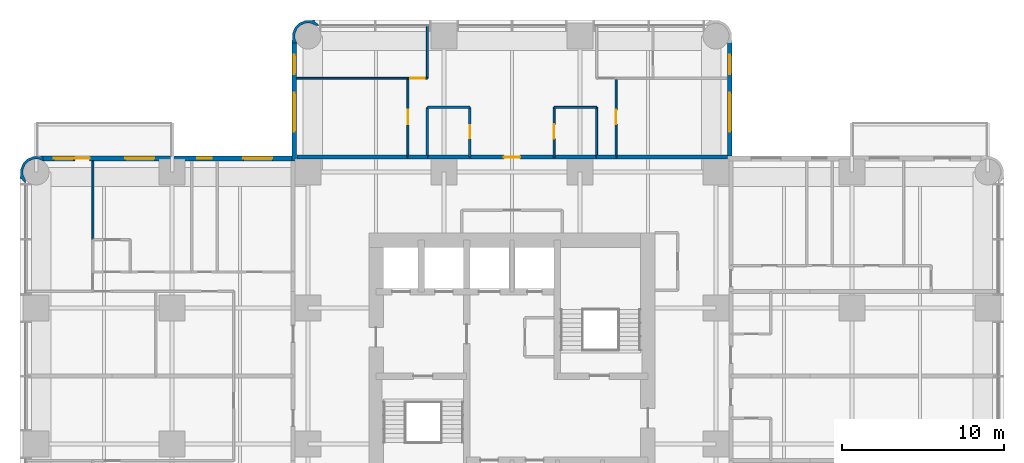
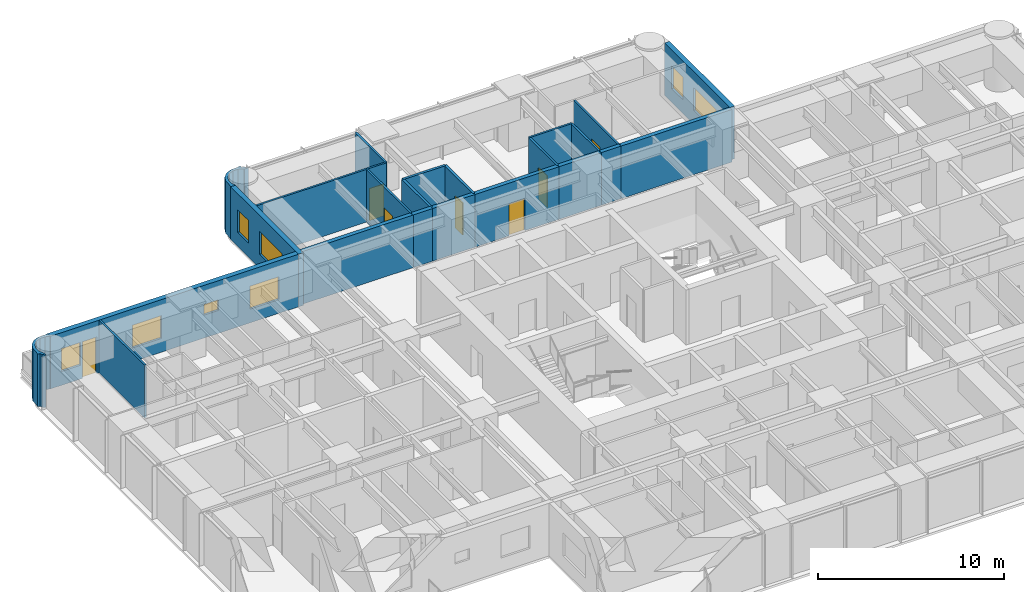
# One storey, part 11 of 14: 24 walls, 8 windows, 7 doors, 15 openings.
"""IFC4 building model written with IfcOpenShell, lengths in metres."""

from ifc_helpers import new_model, si_unit, direction, frame, frame_2d, origin, place, context, subcontext, project, spatial, polyline, rectangle, outline, extrude, material, layer, layer_set, type_object, element, fill, save


model = new_model("IFC4")

# Units and contexts
model_context = context("Model", 3, precision=1e-05, world=origin(), true_north=direction((0.0, 1.0)))
body_context = subcontext(model_context, "Body", "Model", "MODEL_VIEW")
ifc_project = project(units=[si_unit("LENGTHUNIT", "METRE"), si_unit("AREAUNIT", "SQUARE_METRE"), si_unit("VOLUMEUNIT", "CUBIC_METRE"), si_unit("PLANEANGLEUNIT", "RADIAN"), si_unit("MASSUNIT", "GRAM", prefix="KILO")], contexts=[model_context])

# Site, building, storey
site_placement = place(None, origin())
site = spatial("IfcSite", under=ifc_project, at=site_placement, CompositionType="ELEMENT")
building_placement = place(site_placement, origin())
building = spatial("IfcBuilding", under=site, at=building_placement, Name="Torre Alcanfor", CompositionType="ELEMENT")
storey_placement = place(building_placement, frame((0.0, 0.0, 162.89990234375)))
storey = spatial("IfcBuildingStorey", under=building, at=storey_placement, Name="L42", CompositionType="ELEMENT", Elevation=162.89990234375)

# Wall, opening, door
ifc_material_1 = material(Name="Concrete block masonry, hollow blocks NMX-C-404 9 MPa", Category="masonry")
ifc_layer_1 = layer(ifc_material_1, 0.25)
ifc_layer_set_1 = layer_set([ifc_layer_1], Name="Apartment entrance wall 250 EI 60")
wall_type_1 = type_object("IfcWallType", Name="Apartment entrance wall 250 EI 60", PredefinedType="PARTITIONING", material=ifc_layer_set_1)
wall_1_placement = place(storey_placement, frame((26.800048828125, 42.925048828125, 0.0), z_axis=(0.0, 0.0, 1.0), x_axis=(1.0, 0.0, 0.0)))
wall_1 = element("IfcWall", 1, at=wall_1_placement, inside=storey, type_object=wall_type_1, Name="Partition L42-CORR / L42-NX-ZAG", PredefinedType="PARTITIONING", context=body_context, shape_type="SweptSolid", body=[
    extrude(rectangle(XDim=5.199951171875, YDim=0.25, at=frame_2d((2.60009765625, 0.0))), origin(), (0.0, 0.0, 1.0), 3.4501953125),
])
opening_1_placement = place(wall_1_placement, frame((2.10009765625, 0.0, 0.0)))
opening_1 = element("IfcOpeningElement", 2, at=opening_1_placement, cuts=wall_1, Name="Opening D-A1", PredefinedType="OPENING", context=body_context, shape_type="SweptSolid", body=[
    extrude(rectangle(XDim=1.0, YDim=2.10009765625, at=frame_2d((0.5, 1.050048828125))), frame((0.0, 0.135009765625, 0.0), z_axis=(0.0, -1.0, 0.0), x_axis=(1.0, 0.0, 0.0)), (0.0, 0.0, 1.0), 0.27001953125),
])
ifc_material_2 = material(Name="Galvanised steel sheet ASTM A653", Category="steel")
door_type_1 = type_object("IfcDoorType", Name="Apartment entrance door FD60 1000x2100", OperationType="SINGLE_SWING_LEFT", PredefinedType="DOOR", material=ifc_material_2)
door_1_placement = place(opening_1_placement, origin())
door_1 = element("IfcDoor", 3, at=door_1_placement, inside=storey, type_object=door_type_1, Name="Apartment entrance L42-NX", OperationType="SINGLE_SWING_LEFT", OverallHeight=2.10009765625, OverallWidth=1.0, PredefinedType="DOOR", context=body_context, shape_type="SweptSolid", body=[
    extrude(rectangle(XDim=1.0, YDim=2.10009765625, at=frame_2d((0.5, 1.050048828125))), frame((0.0, 0.02490234375, 0.0), z_axis=(0.0, -1.0, 0.0), x_axis=(1.0, 0.0, 0.0)), (0.0, 0.0, 1.0), 0.050048828125),
])
fill(opening_1, door_1)

# Walls
wall_2_placement = place(storey_placement, frame((24.1708984375, 42.925048828125, 0.0), z_axis=(0.0, 0.0, 1.0), x_axis=(1.0, 0.0, 0.0)))
element("IfcWall", 4, at=wall_2_placement, inside=storey, type_object=wall_type_1, Name="Partition L42-CORR / L42-NX-BATH2", PredefinedType="PARTITIONING", context=body_context, shape_type="SweptSolid", body=[
    extrude(rectangle(XDim=2.629150390625, YDim=0.25, at=frame_2d((1.314453125, 0.0))), origin(), (0.0, 0.0, 1.0), 3.4501953125),
])
wall_3_placement = place(storey_placement, frame((32.0, 42.925048828125, 0.0), z_axis=(0.0, 0.0, 1.0), x_axis=(1.0, 0.0, 0.0)))
element("IfcWall", 5, at=wall_3_placement, inside=storey, type_object=wall_type_1, Name="Partition L42-CORR / L42-NX-KITCHEN", PredefinedType="PARTITIONING", context=body_context, shape_type="SweptSolid", body=[
    extrude(rectangle(XDim=2.62890625, YDim=0.25, at=frame_2d((1.314453125, 0.0))), origin(), (0.0, 0.0, 1.0), 3.4501953125),
])
wall_4_placement = place(storey_placement, frame((22.970947265625, 42.925048828125, 0.0), z_axis=(0.0, 0.0, 1.0), x_axis=(1.0, 0.0, 0.0)))
element("IfcWall", 6, at=wall_4_placement, inside=storey, type_object=wall_type_1, Name="Partition L42-CORR / L42-NX-LIVING", PredefinedType="PARTITIONING", context=body_context, shape_type="SweptSolid", body=[
    extrude(rectangle(XDim=1.199951171875, YDim=0.25, at=frame_2d((0.60009765625, 0.0))), origin(), (0.0, 0.0, 1.0), 3.4501953125),
])
wall_5_placement = place(storey_placement, frame((34.62890625, 42.925048828125, 0.0), z_axis=(0.0, 0.0, 1.0), x_axis=(1.0, 0.0, 0.0)))
element("IfcWall", 7, at=wall_5_placement, inside=storey, type_object=wall_type_1, Name="Partition L42-CORR / L42-NX-LIVING", PredefinedType="PARTITIONING", context=body_context, shape_type="SweptSolid", body=[
    extrude(rectangle(XDim=1.2001953125, YDim=0.25, at=frame_2d((0.60009765625, 0.0))), origin(), (0.0, 0.0, 1.0), 3.4501953125),
])
for number, where, z_axis, x_axis, name in (
    (8, (16.10009765625, 42.925048828125, 0.0), (0.0, 0.0, 1.0), (1.0, 0.0, 0.0), "Partition L42-CORR / L42-NX-BED2"),
    (9, (35.8291015625, 42.925048828125, 0.0), (0.0, 0.0, 1.0), (1.0, 0.0, 0.0), "Partition L42-CORR / L42-NX-BED3"),
):
    element("IfcWall", number, at=place(storey_placement, frame(where, z_axis=z_axis, x_axis=x_axis)), inside=storey, type_object=wall_type_1, Name=name, PredefinedType="PARTITIONING", context=body_context, shape_type="SweptSolid", body=[
        extrude(rectangle(XDim=6.870849609375, YDim=0.25, at=frame_2d((3.435546875, 0.0))), origin(), (0.0, 0.0, 1.0), 3.4501953125),
    ])

# Wall, opening, door
ifc_material_3 = material(Name="Gypsum board on steel studs", Category="steel")
ifc_layer_2 = layer(ifc_material_3, 0.1201171875)
ifc_layer_set_2 = layer_set([ifc_layer_2], Name="Apartment partition 120")
wall_type_2 = type_object("IfcWallType", Name="Apartment partition 120", PredefinedType="PARTITIONING", material=ifc_layer_set_2)
wall_6_placement = place(storey_placement, frame((32.0, 42.925048828125, 0.0), z_axis=(0.0, 0.0, 1.0), x_axis=(0.0, 1.0, 0.0)))
wall_6 = element("IfcWall", 10, at=wall_6_placement, inside=storey, type_object=wall_type_2, Name="Partition L42-NX-ZAG / L42-NX-KITCHEN", PredefinedType="PARTITIONING", context=body_context, shape_type="SweptSolid", body=[
    extrude(rectangle(XDim=3.074951171875, YDim=0.1201171875, at=frame_2d((1.53759765625, 0.0))), origin(), (0.0, 0.0, 1.0), 3.4501953125),
])
opening_2_placement = place(wall_6_placement, frame((1.125, 0.0, 0.0)))
opening_2 = element("IfcOpeningElement", 11, at=opening_2_placement, cuts=wall_6, Name="Opening D-R1", PredefinedType="OPENING", context=body_context, shape_type="SweptSolid", body=[
    extrude(rectangle(XDim=0.89990234375, YDim=2.10009765625, at=frame_2d((0.449951171875, 1.050048828125))), frame((0.0, 0.070068359375, 0.0), z_axis=(0.0, -1.0, 0.0), x_axis=(1.0, 0.0, 0.0)), (0.0, 0.0, 1.0), 0.14013671875),
])
ifc_material_4 = material(Name="Timber", Category="wood")
door_type_2 = type_object("IfcDoorType", Name="Internal door 900x2100", OperationType="SINGLE_SWING_LEFT", PredefinedType="DOOR", material=ifc_material_4)
door_2_placement = place(opening_2_placement, frame((0.89990234375, 0.0, 0.0), z_axis=(0.0, 0.0, 1.0), x_axis=(-1.0, 0.0, 0.0)))
door_2 = element("IfcDoor", 12, at=door_2_placement, inside=storey, type_object=door_type_2, Name="Door L42-NX kitchen", OperationType="SINGLE_SWING_LEFT", OverallHeight=2.10009765625, OverallWidth=0.89990234375, PredefinedType="DOOR", context=body_context, shape_type="SweptSolid", body=[
    extrude(rectangle(XDim=0.89990234375, YDim=2.10009765625, at=frame_2d((0.449951171875, 1.050048828125))), frame((0.0, 0.025146484375, 0.0), z_axis=(0.0, -1.0, 0.0), x_axis=(1.0, 0.0, 0.0)), (0.0, 0.0, 1.0), 0.050048828125),
])
fill(opening_2, door_2)

# Walls
wall_7_placement = place(storey_placement, frame((34.62890625, 42.925048828125, 0.0), z_axis=(0.0, 0.0, 1.0), x_axis=(0.0, 1.0, 0.0)))
element("IfcWall", 13, at=wall_7_placement, inside=storey, type_object=wall_type_2, Name="Partition L42-NX-KITCHEN / L42-NX-LIVING", PredefinedType="PARTITIONING", context=body_context, shape_type="SweptSolid", body=[
    extrude(rectangle(XDim=3.074951171875, YDim=0.1201171875, at=frame_2d((1.53759765625, 0.0))), origin(), (0.0, 0.0, 1.0), 3.4501953125),
])
wall_8_placement = place(storey_placement, frame((34.62890625, 46.0, 0.0), z_axis=(0.0, 0.0, 1.0), x_axis=(-1.0, 0.0, 0.0)))
element("IfcWall", 14, at=wall_8_placement, inside=storey, type_object=wall_type_2, Name="Partition L42-NX-KITCHEN / L42-NX-LIVING", PredefinedType="PARTITIONING", context=body_context, shape_type="SweptSolid", body=[
    extrude(rectangle(XDim=2.62890625, YDim=0.1201171875, at=frame_2d((1.314453125, 0.0))), origin(), (0.0, 0.0, 1.0), 3.4501953125),
])

# Wall, opening, door
wall_9_placement = place(storey_placement, frame((22.970947265625, 42.925048828125, 0.0), z_axis=(0.0, 0.0, 1.0), x_axis=(0.0, 1.0, 0.0)))
wall_9 = element("IfcWall", 15, at=wall_9_placement, inside=storey, type_object=wall_type_2, Name="Partition L42-NX-LIVING / L42-NX-BED2", PredefinedType="PARTITIONING", context=body_context, shape_type="SweptSolid", body=[
    extrude(rectangle(XDim=4.875, YDim=0.1201171875, at=frame_2d((2.4375, 0.0))), origin(), (0.0, 0.0, 1.0), 3.4501953125),
])
opening_3_placement = place(wall_9_placement, frame((2.02490234375, 0.0, 0.0)))
opening_3 = element("IfcOpeningElement", 16, at=opening_3_placement, cuts=wall_9, Name="Opening D-R1", PredefinedType="OPENING", context=body_context, shape_type="SweptSolid", body=[
    extrude(rectangle(XDim=0.89990234375, YDim=2.10009765625, at=frame_2d((0.449951171875, 1.050048828125))), frame((0.0, 0.070068359375, 0.0), z_axis=(0.0, -1.0, 0.0), x_axis=(1.0, 0.0, 0.0)), (0.0, 0.0, 1.0), 0.14013671875),
])
door_3_placement = place(opening_3_placement, origin())
door_3 = element("IfcDoor", 17, at=door_3_placement, inside=storey, type_object=door_type_2, Name="Door L42-NX bed2", OperationType="SINGLE_SWING_RIGHT", OverallHeight=2.10009765625, OverallWidth=0.89990234375, PredefinedType="DOOR", context=body_context, shape_type="SweptSolid", body=[
    extrude(rectangle(XDim=0.89990234375, YDim=2.10009765625, at=frame_2d((0.449951171875, 1.050048828125))), frame((0.0, 0.02490234375, 0.0), z_axis=(0.0, -1.0, 0.0), x_axis=(1.0, 0.0, 0.0)), (0.0, 0.0, 1.0), 0.050048828125),
])
fill(opening_3, door_3)

wall_10_placement = place(storey_placement, frame((22.970947265625, 47.800048828125, 0.0), z_axis=(0.0, 0.0, 1.0), x_axis=(1.0, 0.0, 0.0)))
wall_10 = element("IfcWall", 18, at=wall_10_placement, inside=storey, type_object=wall_type_2, Name="Partition L42-NX-LIVING / L42-NX-MASTER", PredefinedType="PARTITIONING", context=body_context, shape_type="SweptSolid", body=[
    extrude(rectangle(XDim=1.199951171875, YDim=0.1201171875, at=frame_2d((0.60009765625, 0.0))), origin(), (0.0, 0.0, 1.0), 3.4501953125),
])
opening_4_placement = place(wall_10_placement, frame((0.14892578125, 0.0, 0.0)))
opening_4 = element("IfcOpeningElement", 19, at=opening_4_placement, cuts=wall_10, Name="Opening D-R1", PredefinedType="OPENING", context=body_context, shape_type="SweptSolid", body=[
    extrude(rectangle(XDim=0.89990234375, YDim=2.10009765625, at=frame_2d((0.449951171875, 1.050048828125))), frame((0.0, 0.070068359375, 0.0), z_axis=(0.0, -1.0, 0.0), x_axis=(1.0, 0.0, 0.0)), (0.0, 0.0, 1.0), 0.14013671875),
])
door_4_placement = place(opening_4_placement, origin())
door_4 = element("IfcDoor", 20, at=door_4_placement, inside=storey, type_object=door_type_2, Name="Door L42-NX master", OperationType="SINGLE_SWING_RIGHT", OverallHeight=2.10009765625, OverallWidth=0.89990234375, PredefinedType="DOOR", context=body_context, shape_type="SweptSolid", body=[
    extrude(rectangle(XDim=0.89990234375, YDim=2.10009765625, at=frame_2d((0.449951171875, 1.050048828125))), frame((0.0, 0.02490234375, 0.0), z_axis=(0.0, -1.0, 0.0), x_axis=(1.0, 0.0, 0.0)), (0.0, 0.0, 1.0), 0.050048828125),
])
fill(opening_4, door_4)

# Wall
wall_11_placement = place(storey_placement, frame((24.1708984375, 47.800048828125, 0.0), z_axis=(0.0, 0.0, 1.0), x_axis=(0.0, 1.0, 0.0)))
element("IfcWall", 21, at=wall_11_placement, inside=storey, type_object=wall_type_2, Name="Partition L42-NX-LIVING / L42-NX-MASTER", PredefinedType="PARTITIONING", context=body_context, shape_type="SweptSolid", body=[
    extrude(rectangle(XDim=3.25, YDim=0.1201171875, at=frame_2d((1.625, 0.0))), origin(), (0.0, 0.0, 1.0), 3.4501953125),
])

# Wall, opening, door
wall_12_placement = place(storey_placement, frame((35.8291015625, 47.800048828125, 0.0), z_axis=(0.0, 0.0, 1.0), x_axis=(0.0, -1.0, 0.0)))
wall_12 = element("IfcWall", 22, at=wall_12_placement, inside=storey, type_object=wall_type_2, Name="Partition L42-NX-LIVING / L42-NX-BED3", PredefinedType="PARTITIONING", context=body_context, shape_type="SweptSolid", body=[
    extrude(rectangle(XDim=4.875, YDim=0.1201171875, at=frame_2d((2.4375, 0.0))), origin(), (0.0, 0.0, 1.0), 3.4501953125),
])
opening_5_placement = place(wall_12_placement, frame((1.949951171875, 0.0, 0.0)))
opening_5 = element("IfcOpeningElement", 23, at=opening_5_placement, cuts=wall_12, Name="Opening D-R1", PredefinedType="OPENING", context=body_context, shape_type="SweptSolid", body=[
    extrude(rectangle(XDim=0.89990234375, YDim=2.10009765625, at=frame_2d((0.449951171875, 1.050048828125))), frame((0.0, 0.070068359375, 0.0), z_axis=(0.0, -1.0, 0.0), x_axis=(1.0, 0.0, 0.0)), (0.0, 0.0, 1.0), 0.14013671875),
])
door_5_placement = place(opening_5_placement, origin())
door_5 = element("IfcDoor", 24, at=door_5_placement, inside=storey, type_object=door_type_2, Name="Door L42-NX bed3", OperationType="SINGLE_SWING_LEFT", OverallHeight=2.10009765625, OverallWidth=0.89990234375, PredefinedType="DOOR", context=body_context, shape_type="SweptSolid", body=[
    extrude(rectangle(XDim=0.89990234375, YDim=2.10009765625, at=frame_2d((0.449951171875, 1.050048828125))), frame((0.0, 0.02490234375, 0.0), z_axis=(0.0, -1.0, 0.0), x_axis=(1.0, 0.0, 0.0)), (0.0, 0.0, 1.0), 0.050048828125),
])
fill(opening_5, door_5)

# Walls
wall_13_placement = place(storey_placement, frame((22.970947265625, 47.800048828125, 0.0), z_axis=(0.0, 0.0, 1.0), x_axis=(-1.0, 0.0, 0.0)))
element("IfcWall", 25, at=wall_13_placement, inside=storey, type_object=wall_type_2, Name="Partition L42-NX-BED2 / L42-NX-MASTER", PredefinedType="PARTITIONING", context=body_context, shape_type="SweptSolid", body=[
    extrude(rectangle(XDim=6.870849609375, YDim=0.1201171875, at=frame_2d((3.435546875, 0.0))), origin(), (0.0, 0.0, 1.0), 3.4501953125),
])
wall_14_placement = place(storey_placement, frame((3.5, 37.8291015625, 0.0), z_axis=(0.0, 0.0, 1.0), x_axis=(0.0, 1.0, 0.0)))
element("IfcWall", 26, at=wall_14_placement, inside=storey, type_object=wall_type_2, Name="Partition L42-W2-MASTER / L42-W2-WGARD", PredefinedType="PARTITIONING", context=body_context, shape_type="SweptSolid", body=[
    extrude(rectangle(XDim=4.870849609375, YDim=0.1201171875, at=frame_2d((2.435546875, 0.0))), origin(), (0.0, 0.0, 1.0), 3.4501953125),
])

# Wall, openings, door, windows
ifc_material_5 = material(Name="Limestone cladding", Category="masonry")
ifc_layer_3 = layer(ifc_material_5, 0.0400390625, Name="Facing")
ifc_material_6 = material(Name="Ventilated air cavity")
ifc_layer_4 = layer(ifc_material_6, 0.02001953125, ventilated=True, Name="Ventilated joint")
ifc_material_7 = material(Name="Mineral wool insulation", Category="insulation")
ifc_layer_5 = layer(ifc_material_7, 0.10009765625, Name="Insulation")
ifc_material_8 = material(Name="Concrete f'c 35 MPa", Category="concrete")
ifc_layer_6 = layer(ifc_material_8, 0.139892578125, Name="Backing")
ifc_layer_set_3 = layer_set([ifc_layer_3, ifc_layer_4, ifc_layer_5, ifc_layer_6], Name="External wall stone-clad 300")
wall_type_3 = type_object("IfcWallType", Name="External wall stone-clad 300", PredefinedType="SOLIDWALL", material=ifc_layer_set_3)
wall_15_placement = place(storey_placement, frame((15.800048828125, 42.85009765625, 0.0), z_axis=(0.0, 0.0, 1.0), x_axis=(-1.0, 0.0, 0.0)))
wall_15 = element("IfcWall", 27, at=wall_15_placement, inside=storey, type_object=wall_type_3, Name="External wall L42 1", PredefinedType="SOLIDWALL", context=body_context, shape_type="SweptSolid", body=[
    extrude(rectangle(XDim=15.400146484375, YDim=0.300048828125, at=frame_2d((7.7001953125, 0.0))), origin(), (0.0, 0.0, 1.0), 3.4501953125),
])
opening_6_placement = place(wall_15_placement, frame((1.199951171875, 0.0, 0.89990234375)))
opening_6 = element("IfcOpeningElement", 28, at=opening_6_placement, cuts=wall_15, Name="Opening W2", PredefinedType="OPENING", context=body_context, shape_type="SweptSolid", body=[
    extrude(rectangle(XDim=1.800048828125, YDim=1.5, at=frame_2d((0.89990234375, 0.75))), frame((0.0, 0.159912109375, 0.0), z_axis=(0.0, -1.0, 0.0), x_axis=(1.0, 0.0, 0.0)), (0.0, 0.0, 1.0), 0.320068359375),
])
opening_7_placement = place(wall_15_placement, frame((4.949951171875, 0.0, 1.5)))
opening_7 = element("IfcOpeningElement", 29, at=opening_7_placement, cuts=wall_15, Name="Opening W3", PredefinedType="OPENING", context=body_context, shape_type="SweptSolid", body=[
    extrude(rectangle(XDim=0.89990234375, YDim=0.699951171875, at=frame_2d((0.449951171875, 0.35009765625))), frame((0.0, 0.159912109375, 0.0), z_axis=(0.0, -1.0, 0.0), x_axis=(1.0, 0.0, 0.0)), (0.0, 0.0, 1.0), 0.320068359375),
])
opening_8_placement = place(wall_15_placement, frame((8.5, 0.0, 0.89990234375)))
opening_8 = element("IfcOpeningElement", 30, at=opening_8_placement, cuts=wall_15, Name="Opening W2", PredefinedType="OPENING", context=body_context, shape_type="SweptSolid", body=[
    extrude(rectangle(XDim=1.800048828125, YDim=1.5, at=frame_2d((0.89990234375, 0.75))), frame((0.0, 0.159912109375, 0.0), z_axis=(0.0, -1.0, 0.0), x_axis=(1.0, 0.0, 0.0)), (0.0, 0.0, 1.0), 0.320068359375),
])
opening_9_placement = place(wall_15_placement, frame((12.5, 0.0, 0.0)))
opening_9 = element("IfcOpeningElement", 31, at=opening_9_placement, cuts=wall_15, Name="Opening D-B1", PredefinedType="OPENING", context=body_context, shape_type="SweptSolid", body=[
    extrude(rectangle(XDim=0.89990234375, YDim=2.39990234375, at=frame_2d((0.449951171875, 1.199951171875))), frame((0.0, 0.159912109375, 0.0), z_axis=(0.0, -1.0, 0.0), x_axis=(1.0, 0.0, 0.0)), (0.0, 0.0, 1.0), 0.320068359375),
])
opening_10_placement = place(wall_15_placement, frame((13.5, 0.0, 0.89990234375)))
opening_10 = element("IfcOpeningElement", 32, at=opening_10_placement, cuts=wall_15, Name="Opening W4", PredefinedType="OPENING", context=body_context, shape_type="SweptSolid", body=[
    extrude(rectangle(XDim=1.199951171875, YDim=1.5, at=frame_2d((0.60009765625, 0.75))), frame((0.0, 0.159912109375, 0.0), z_axis=(0.0, -1.0, 0.0), x_axis=(1.0, 0.0, 0.0)), (0.0, 0.0, 1.0), 0.320068359375),
])
ifc_material_9 = material(Name="Aluminium and glass", Category="aluminium")
door_type_3 = type_object("IfcDoorType", Name="Balcony door glazed 900x2400", OperationType="SINGLE_SWING_LEFT", PredefinedType="DOOR", material=ifc_material_9)
door_6_placement = place(opening_9_placement, origin())
door_6 = element("IfcDoor", 33, at=door_6_placement, inside=storey, type_object=door_type_3, Name="Balcony door L42-W2", OperationType="SINGLE_SWING_LEFT", OverallHeight=2.39990234375, OverallWidth=0.89990234375, PredefinedType="DOOR", context=body_context, shape_type="SweptSolid", body=[
    extrude(rectangle(XDim=0.89990234375, YDim=2.39990234375, at=frame_2d((0.449951171875, 1.199951171875))), frame((0.0, 0.02490234375, 0.0), z_axis=(0.0, -1.0, 0.0), x_axis=(1.0, 0.0, 0.0)), (0.0, 0.0, 1.0), 0.050048828125),
])
fill(opening_9, door_6)
ifc_material_10 = material(Name="Aluminium frame with clear double glazing", Category="aluminium")
window_type_1 = type_object("IfcWindowType", Name="Window bathroom 900x700", PartitioningType="SINGLE_PANEL", PredefinedType="WINDOW", material=ifc_material_10)
window_1_placement = place(opening_7_placement, origin())
window_1 = element("IfcWindow", 34, at=window_1_placement, inside=storey, type_object=window_type_1, Name="Window W3 L42-W2", OverallHeight=0.699951171875, OverallWidth=0.89990234375, PartitioningType="SINGLE_PANEL", PredefinedType="WINDOW", context=body_context, shape_type="SweptSolid", body=[
    extrude(rectangle(XDim=0.89990234375, YDim=0.699951171875, at=frame_2d((0.449951171875, 0.35009765625))), frame((0.0, 0.030029296875, 0.0), z_axis=(0.0, -1.0, 0.0), x_axis=(1.0, 0.0, 0.0)), (0.0, 0.0, 1.0), 0.06005859375),
])
fill(opening_7, window_1)
ifc_material_11 = material(Name="Aluminium frame with clear double glazing", Category="aluminium")
window_type_2 = type_object("IfcWindowType", Name="Window bedroom 1200x1500", PartitioningType="SINGLE_PANEL", PredefinedType="WINDOW", material=ifc_material_11)
window_2_placement = place(opening_10_placement, origin())
window_2 = element("IfcWindow", 35, at=window_2_placement, inside=storey, type_object=window_type_2, Name="Window W4 L42-W2", OverallHeight=1.5, OverallWidth=1.199951171875, PartitioningType="SINGLE_PANEL", PredefinedType="WINDOW", context=body_context, shape_type="SweptSolid", body=[
    extrude(rectangle(XDim=1.199951171875, YDim=1.5, at=frame_2d((0.60009765625, 0.75))), frame((0.0, 0.030029296875, 0.0), z_axis=(0.0, -1.0, 0.0), x_axis=(1.0, 0.0, 0.0)), (0.0, 0.0, 1.0), 0.06005859375),
])
fill(opening_10, window_2)
ifc_material_12 = material(Name="Aluminium frame with clear double glazing", Category="aluminium")
window_type_3 = type_object("IfcWindowType", Name="Window bedroom 1800x1500", PartitioningType="SINGLE_PANEL", PredefinedType="WINDOW", material=ifc_material_12)
window_3_placement = place(opening_6_placement, origin())
window_3 = element("IfcWindow", 36, at=window_3_placement, inside=storey, type_object=window_type_3, Name="Window W2 L42-W2", OverallHeight=1.5, OverallWidth=1.800048828125, PartitioningType="SINGLE_PANEL", PredefinedType="WINDOW", context=body_context, shape_type="SweptSolid", body=[
    extrude(rectangle(XDim=1.800048828125, YDim=1.5, at=frame_2d((0.89990234375, 0.75))), frame((0.0, 0.030029296875, 0.0), z_axis=(0.0, -1.0, 0.0), x_axis=(1.0, 0.0, 0.0)), (0.0, 0.0, 1.0), 0.06005859375),
])
fill(opening_6, window_3)
window_4_placement = place(opening_8_placement, origin())
window_4 = element("IfcWindow", 37, at=window_4_placement, inside=storey, type_object=window_type_3, Name="Window W2 L42-W2", OverallHeight=1.5, OverallWidth=1.800048828125, PartitioningType="SINGLE_PANEL", PredefinedType="WINDOW", context=body_context, shape_type="SweptSolid", body=[
    extrude(rectangle(XDim=1.800048828125, YDim=1.5, at=frame_2d((0.89990234375, 0.75))), frame((0.0, 0.030029296875, 0.0), z_axis=(0.0, -1.0, 0.0), x_axis=(1.0, 0.0, 0.0)), (0.0, 0.0, 1.0), 0.06005859375),
])
fill(opening_8, window_4)

# Wall, openings, windows
wall_16_placement = place(storey_placement, frame((42.85009765625, 43.0, 0.0), z_axis=(0.0, 0.0, 1.0), x_axis=(0.0, 1.0, 0.0)))
wall_16 = element("IfcWall", 38, at=wall_16_placement, inside=storey, type_object=wall_type_3, Name="External wall L42 10", PredefinedType="SOLIDWALL", context=body_context, shape_type="SweptSolid", body=[
    extrude(rectangle(XDim=7.0, YDim=0.300048828125, at=frame_2d((3.5, 0.0))), origin(), (0.0, 0.0, 1.0), 3.4501953125),
])
opening_11_placement = place(wall_16_placement, frame((1.5, 0.0, 0.89990234375)))
opening_11 = element("IfcOpeningElement", 39, at=opening_11_placement, cuts=wall_16, Name="Opening W1", PredefinedType="OPENING", context=body_context, shape_type="SweptSolid", body=[
    extrude(rectangle(XDim=2.39990234375, YDim=1.5, at=frame_2d((1.199951171875, 0.75))), frame((0.0, 0.159912109375, 0.0), z_axis=(0.0, -1.0, 0.0), x_axis=(1.0, 0.0, 0.0)), (0.0, 0.0, 1.0), 0.320068359375),
])
opening_12_placement = place(wall_16_placement, frame((5.050048828125, 0.0, 0.89990234375)))
opening_12 = element("IfcOpeningElement", 40, at=opening_12_placement, cuts=wall_16, Name="Opening W4", PredefinedType="OPENING", context=body_context, shape_type="SweptSolid", body=[
    extrude(rectangle(XDim=1.199951171875, YDim=1.5, at=frame_2d((0.60009765625, 0.75))), frame((0.0, 0.159912109375, 0.0), z_axis=(0.0, -1.0, 0.0), x_axis=(1.0, 0.0, 0.0)), (0.0, 0.0, 1.0), 0.320068359375),
])
window_5_placement = place(opening_12_placement, origin())
window_5 = element("IfcWindow", 41, at=window_5_placement, inside=storey, type_object=window_type_2, Name="Window W4 L42-N2", OverallHeight=1.5, OverallWidth=1.199951171875, PartitioningType="SINGLE_PANEL", PredefinedType="WINDOW", context=body_context, shape_type="SweptSolid", body=[
    extrude(rectangle(XDim=1.199951171875, YDim=1.5, at=frame_2d((0.60009765625, 0.75))), frame((0.0, 0.030029296875, 0.0), z_axis=(0.0, -1.0, 0.0), x_axis=(1.0, 0.0, 0.0)), (0.0, 0.0, 1.0), 0.06005859375),
])
fill(opening_12, window_5)
ifc_material_13 = material(Name="Aluminium frame with clear double glazing", Category="aluminium")
window_type_4 = type_object("IfcWindowType", Name="Window bedroom 2400x1500", PartitioningType="SINGLE_PANEL", PredefinedType="WINDOW", material=ifc_material_13)
window_6_placement = place(opening_11_placement, origin())
window_6 = element("IfcWindow", 42, at=window_6_placement, inside=storey, type_object=window_type_4, Name="Window W1 L42-N2", OverallHeight=1.5, OverallWidth=2.39990234375, PartitioningType="SINGLE_PANEL", PredefinedType="WINDOW", context=body_context, shape_type="SweptSolid", body=[
    extrude(rectangle(XDim=2.39990234375, YDim=1.5, at=frame_2d((1.199951171875, 0.75))), frame((0.0, 0.030029296875, 0.0), z_axis=(0.0, -1.0, 0.0), x_axis=(1.0, 0.0, 0.0)), (0.0, 0.0, 1.0), 0.06005859375),
])
fill(opening_11, window_6)

wall_17_placement = place(storey_placement, frame((15.949951171875, 50.0, 0.0), z_axis=(0.0, 0.0, 1.0), x_axis=(0.0, -1.0, 0.0)))
wall_17 = element("IfcWall", 43, at=wall_17_placement, inside=storey, type_object=wall_type_3, Name="External wall L42 12", PredefinedType="SOLIDWALL", context=body_context, shape_type="SweptSolid", body=[
    extrude(rectangle(XDim=7.300048828125, YDim=0.300048828125, at=frame_2d((3.64990234375, 0.0))), origin(), (0.0, 0.0, 1.0), 3.4501953125),
])
opening_13_placement = place(wall_17_placement, frame((3.10009765625, 0.0, 0.89990234375)))
opening_13 = element("IfcOpeningElement", 44, at=opening_13_placement, cuts=wall_17, Name="Opening W1", PredefinedType="OPENING", context=body_context, shape_type="SweptSolid", body=[
    extrude(rectangle(XDim=2.39990234375, YDim=1.5, at=frame_2d((1.199951171875, 0.75))), frame((0.0, 0.159912109375, 0.0), z_axis=(0.0, -1.0, 0.0), x_axis=(1.0, 0.0, 0.0)), (0.0, 0.0, 1.0), 0.320068359375),
])
opening_14_placement = place(wall_17_placement, frame((0.75, 0.0, 0.89990234375)))
opening_14 = element("IfcOpeningElement", 45, at=opening_14_placement, cuts=wall_17, Name="Opening W4", PredefinedType="OPENING", context=body_context, shape_type="SweptSolid", body=[
    extrude(rectangle(XDim=1.199951171875, YDim=1.5, at=frame_2d((0.60009765625, 0.75))), frame((0.0, 0.159912109375, 0.0), z_axis=(0.0, -1.0, 0.0), x_axis=(1.0, 0.0, 0.0)), (0.0, 0.0, 1.0), 0.320068359375),
])
window_7_placement = place(opening_14_placement, origin())
window_7 = element("IfcWindow", 46, at=window_7_placement, inside=storey, type_object=window_type_2, Name="Window W4 L42-N1", OverallHeight=1.5, OverallWidth=1.199951171875, PartitioningType="SINGLE_PANEL", PredefinedType="WINDOW", context=body_context, shape_type="SweptSolid", body=[
    extrude(rectangle(XDim=1.199951171875, YDim=1.5, at=frame_2d((0.60009765625, 0.75))), frame((0.0, 0.030029296875, 0.0), z_axis=(0.0, -1.0, 0.0), x_axis=(1.0, 0.0, 0.0)), (0.0, 0.0, 1.0), 0.06005859375),
])
fill(opening_14, window_7)
window_8_placement = place(opening_13_placement, origin())
window_8 = element("IfcWindow", 47, at=window_8_placement, inside=storey, type_object=window_type_4, Name="Window W1 L42-N1", OverallHeight=1.5, OverallWidth=2.39990234375, PartitioningType="SINGLE_PANEL", PredefinedType="WINDOW", context=body_context, shape_type="SweptSolid", body=[
    extrude(rectangle(XDim=2.39990234375, YDim=1.5, at=frame_2d((1.199951171875, 0.75))), frame((0.0, 0.030029296875, 0.0), z_axis=(0.0, -1.0, 0.0), x_axis=(1.0, 0.0, 0.0)), (0.0, 0.0, 1.0), 0.06005859375),
])
fill(opening_13, window_8)

# Walls
ifc_layer_7 = layer(ifc_material_5, 0.0400390625, Name="Facing")
ifc_layer_8 = layer(ifc_material_6, 0.02001953125, ventilated=True, Name="Ventilated joint")
ifc_layer_9 = layer(ifc_material_7, 0.10009765625, Name="Insulation")
ifc_layer_10 = layer(ifc_material_8, 0.139892578125, Name="Backing")
ifc_layer_set_4 = layer_set([ifc_layer_7, ifc_layer_8, ifc_layer_9, ifc_layer_10], Name="Rounded corner pier stone-clad 300")
wall_type_4 = type_object("IfcWallType", Name="Rounded corner pier stone-clad 300", PredefinedType="SOLIDWALL", material=ifc_layer_set_4)
wall_18_placement = place(storey_placement, frame((0.326823795, 42.817059488, 0.0), z_axis=(0.0, 0.0, 1.0), x_axis=(-0.93923434088, 0.343276641956, 0.0)))
element("IfcWall", 48, at=wall_18_placement, inside=storey, type_object=wall_type_4, Name="Corner pier L42 13", PredefinedType="SOLIDWALL", context=body_context, shape_type="SweptSolid", body=[
    extrude(outline(polyline([(-0.005838677930572508, -0.19691017002240385), (0.2656725893480827, -0.05504723679548061), (0.5353355739365452, 0.04351070532859805), (0.8164808166219237, 0.3019667887790936), (0.9774010351300944, 0.6482698031873169), (0.9936526519661447, 1.0298167590229048), (0.8950947098420661, 1.2994797436113674), (0.8284439015683875, 1.5984799607341533), (0.6967504599124257, 1.5690632792769885), (0.6041212101125378, 1.6695954267902182), (0.39402236502400456, 1.7672242392847775), (0.4711255170258348, 1.5562634010012864), (0.5086990809760941, 1.538803702790635), (0.7241945805605172, 1.30408163961566), (0.8334799177457201, 1.0050675818747117), (0.8201287688443563, 0.6867053603325339), (0.6856890926223405, 0.3973889179155373), (0.4509670294473655, 0.1818934183311141), (0.15195297170641725, 0.07260808114591123), (-0.11630424425966698, 0.08399689688883538), (-0.12741215805145528, 0.07811756360614214), (-0.14598588403076265, 0.07132913391902448), (-0.005838677930572508, -0.19691017002240385)])), origin(), (0.0, 0.0, 1.0), 3.4501953125),
])
wall_19_placement = place(storey_placement, frame((17.448071802, 50.995317512, 0.0), z_axis=(0.0, 0.0, 1.0), x_axis=(-0.343276641956, 0.93923434088, 0.0)))
element("IfcWall", 49, at=wall_19_placement, inside=storey, type_object=wall_type_4, Name="Corner pier L42 20", PredefinedType="SOLIDWALL", context=body_context, shape_type="SweptSolid", body=[
    extrude(outline(polyline([(0.24108059829103723, 0.022959620234629247), (0.3334805428319213, 0.12357557552177408), (0.4651739844878831, 0.09415889406460926), (0.5320540980205655, 0.3930753034134802), (0.6306958479185591, 0.6629675932609465), (0.6144442310825087, 1.0445145490965344), (0.4535240125743382, 1.3908175635047577), (0.17229496211504458, 1.6490443416962495), (-0.0975973277324218, 1.7476860915942432), (-0.36910859501107685, 1.8895490248211664), (-0.5092558011112671, 1.6213097208797382), (-0.4906820751319597, 1.6145212911926206), (-0.47934485608116756, 1.6085581501360122), (-0.21131694537408713, 1.6200307736528514), (0.0879264176258649, 1.5106616286937335), (0.32264848080083985, 1.2951661291093102), (0.4569426595377669, 1.0061627997252323), (0.4702938084391308, 0.6878005781830546), (0.3609246634800129, 0.3885572151831026), (0.1454291638955897, 0.15383515200812764), (0.10816871297824923, 0.136520951282565), (0.030981753202503952, -0.0746691922599299), (0.24108059829103723, 0.022959620234629247)])), origin(), (0.0, 0.0, 1.0), 3.4501953125),
])

# Wall, opening, door
ifc_material_14 = material(Name="Cement board on steel studs", Category="steel")
ifc_layer_11 = layer(ifc_material_14, 0.14990234375)
ifc_layer_set_5 = layer_set([ifc_layer_11], Name="Wet area partition 150")
wall_type_5 = type_object("IfcWallType", Name="Wet area partition 150", PredefinedType="PARTITIONING", material=ifc_layer_set_5)
wall_20_placement = place(storey_placement, frame((26.800048828125, 46.0, 0.0), z_axis=(0.0, 0.0, 1.0), x_axis=(0.0, -1.0, 0.0)))
wall_20 = element("IfcWall", 50, at=wall_20_placement, inside=storey, type_object=wall_type_5, Name="Partition L42-NX-ZAG / L42-NX-BATH2", PredefinedType="PARTITIONING", context=body_context, shape_type="SweptSolid", body=[
    extrude(rectangle(XDim=3.074951171875, YDim=0.14990234375, at=frame_2d((1.53759765625, 0.0))), origin(), (0.0, 0.0, 1.0), 3.4501953125),
])
opening_15_placement = place(wall_20_placement, frame((1.10009765625, 0.0, 0.0)))
opening_15 = element("IfcOpeningElement", 51, at=opening_15_placement, cuts=wall_20, Name="Opening D-R2", PredefinedType="OPENING", context=body_context, shape_type="SweptSolid", body=[
    extrude(rectangle(XDim=0.800048828125, YDim=2.10009765625, at=frame_2d((0.39990234375, 1.050048828125))), frame((0.0, 0.0849609375, 0.0), z_axis=(0.0, -1.0, 0.0), x_axis=(1.0, 0.0, 0.0)), (0.0, 0.0, 1.0), 0.169921875),
])
ifc_material_15 = material(Name="Timber", Category="wood")
door_type_4 = type_object("IfcDoorType", Name="Bathroom door 800x2100", OperationType="SINGLE_SWING_LEFT", PredefinedType="DOOR", material=ifc_material_15)
door_7_placement = place(opening_15_placement, frame((0.800048828125, 0.0, 0.0), z_axis=(0.0, 0.0, 1.0), x_axis=(-1.0, 0.0, 0.0)))
door_7 = element("IfcDoor", 52, at=door_7_placement, inside=storey, type_object=door_type_4, Name="Door L42-NX bath2", OperationType="SINGLE_SWING_RIGHT", OverallHeight=2.10009765625, OverallWidth=0.800048828125, PredefinedType="DOOR", context=body_context, shape_type="SweptSolid", body=[
    extrude(rectangle(XDim=0.800048828125, YDim=2.10009765625, at=frame_2d((0.400146484375, 1.050048828125))), frame((0.0, 0.025146484375, 0.0), z_axis=(0.0, -1.0, 0.0), x_axis=(1.0, 0.0, 0.0)), (0.0, 0.0, 1.0), 0.050048828125),
])
fill(opening_15, door_7)

# Walls
wall_21_placement = place(storey_placement, frame((26.800048828125, 46.0, 0.0), z_axis=(0.0, 0.0, 1.0), x_axis=(-1.0, 0.0, 0.0)))
element("IfcWall", 53, at=wall_21_placement, inside=storey, type_object=wall_type_5, Name="Partition L42-NX-BATH2 / L42-NX-LIVING", PredefinedType="PARTITIONING", context=body_context, shape_type="SweptSolid", body=[
    extrude(rectangle(XDim=2.629150390625, YDim=0.14990234375, at=frame_2d((1.314453125, 0.0))), origin(), (0.0, 0.0, 1.0), 3.4501953125),
])
wall_22_placement = place(storey_placement, frame((24.1708984375, 46.0, 0.0), z_axis=(0.0, 0.0, 1.0), x_axis=(0.0, -1.0, 0.0)))
element("IfcWall", 54, at=wall_22_placement, inside=storey, type_object=wall_type_5, Name="Partition L42-NX-BATH2 / L42-NX-LIVING", PredefinedType="PARTITIONING", context=body_context, shape_type="SweptSolid", body=[
    extrude(rectangle(XDim=3.074951171875, YDim=0.14990234375, at=frame_2d((1.53759765625, 0.0))), origin(), (0.0, 0.0, 1.0), 3.4501953125),
])

save(model, "model.ifc")
